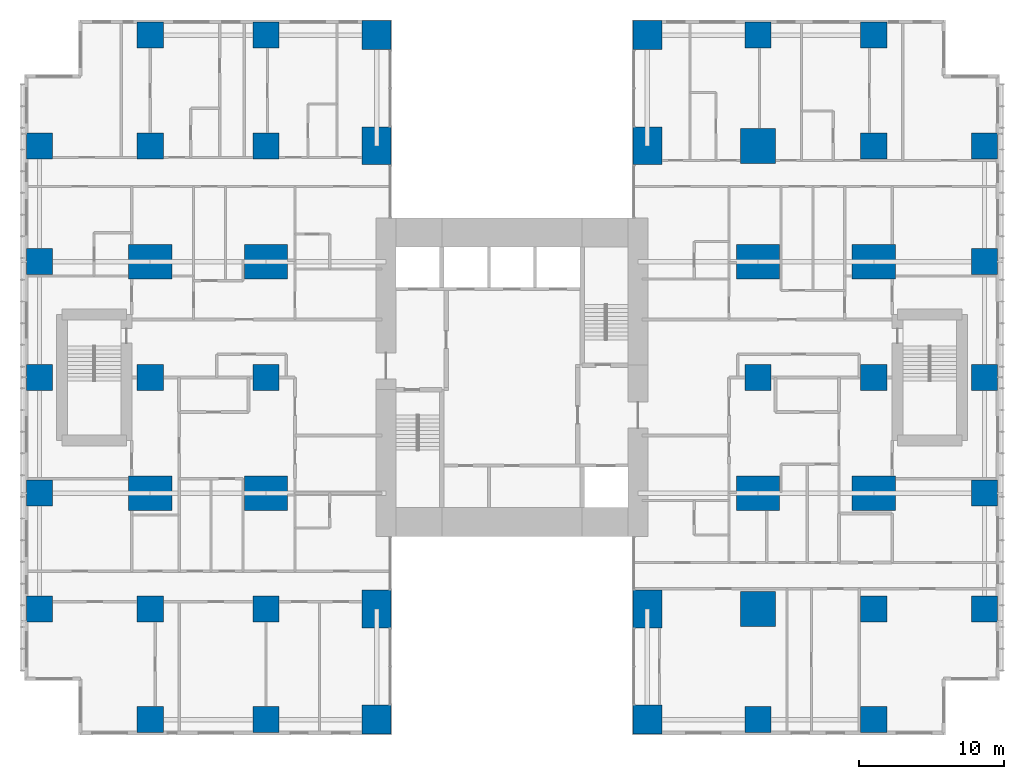
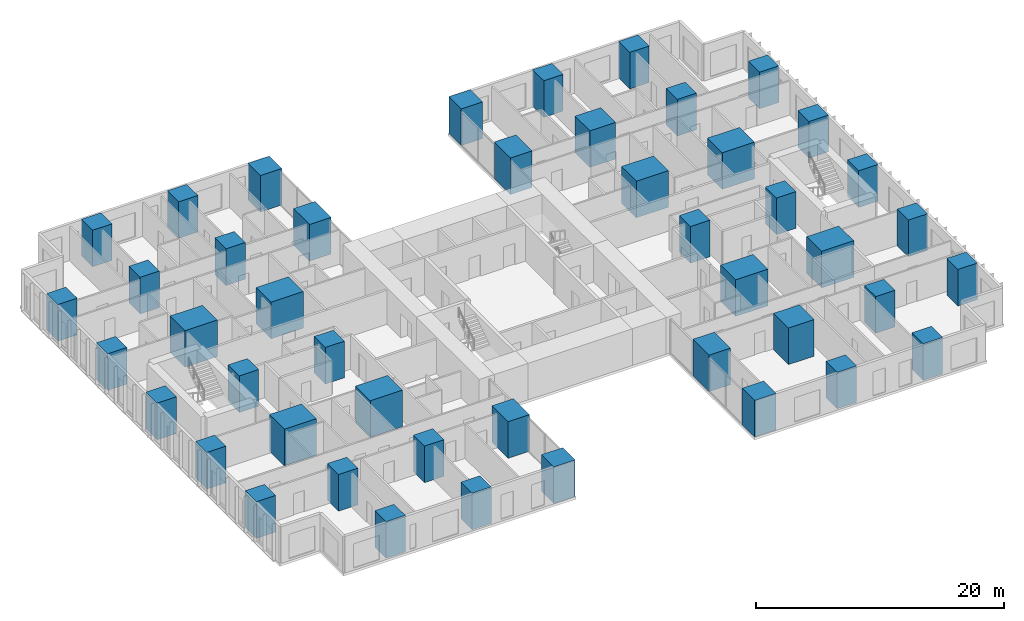
# One storey, part 1 of 20: 46 columns.
"""IFC4 building model written with IfcOpenShell, lengths in metres."""

import ifcopenshell
import ifcopenshell.guid

model = None  # the IFC model being written
_history = None  # IfcOwnerHistory: only IFC2X3 demands one
_inside = {}  # id of a spatial element -> (the spatial element, [elements in it])
_under = {}  # id of a project, library or spatial element -> (it, [spatial elements below it])
_declared = {}  # id of a project -> (the project, [libraries it declares])
_typed = {}  # id of a type object -> (the type object, [elements of that type])
_made_of = {}  # id of a material, layer set ... -> (it, [elements and type objects made of it])


def new_model(schema):
    """Start an empty IFC model of exactly this schema.

    Asked for "IFC4X3", IfcOpenShell would pick the latest addendum, in which some entities
    have other attributes; the version numbers below select the first issue.
    IFC2X3 requires an IfcOwnerHistory on every rooted entity: one is made here for all.
    """
    global model, _history
    if schema == "IFC4X3":
        model = ifcopenshell.file(schema_version=(4, 3, 0, 0))
    else:
        model = ifcopenshell.file(schema=schema)
    _inside.clear()
    _under.clear()
    _declared.clear()
    _typed.clear()
    _made_of.clear()
    _history = None
    if model.schema == "IFC2X3":
        org = make("IfcOrganization", Name="unknown")
        user = make(
            "IfcPersonAndOrganization",
            ThePerson=make("IfcPerson", FamilyName="unknown"),
            TheOrganization=org,
        )
        app = make(
            "IfcApplication",
            ApplicationDeveloper=org,
            Version="unknown",
            ApplicationFullName="unknown",
            ApplicationIdentifier="unknown",
        )
        _history = make(
            "IfcOwnerHistory",
            OwningUser=user,
            OwningApplication=app,
            ChangeAction="ADDED",
            CreationDate=0,
        )
    return model


def make(cls, **values):
    """One entity of the class cls with the attributes given. An attribute that is None is left unset."""
    return model.create_entity(
        cls, **{name: value for name, value in values.items() if value is not None}
    )


def rooted(cls, **values):
    """An entity with a GlobalId (a new one), such as an element, a storey or a relation."""
    return make(cls, GlobalId=ifcopenshell.guid.new(), OwnerHistory=_history, **values)


def si_unit(unit_type, name, prefix=None):
    """IfcSIUnit, for example si_unit("LENGTHUNIT", "METRE", prefix="MILLI")."""
    return make("IfcSIUnit", UnitType=unit_type, Prefix=prefix, Name=name)


def assignment(units):
    """IfcUnitAssignment: the units of a project."""
    return None if units is None else make("IfcUnitAssignment", Units=units)


def point(xyz):
    """IfcCartesianPoint."""
    return None if xyz is None else make("IfcCartesianPoint", Coordinates=xyz)


def direction(xyz):
    """IfcDirection."""
    return None if xyz is None else make("IfcDirection", DirectionRatios=xyz)


def frame(location, z_axis=None, x_axis=None):
    """IfcAxis2Placement3D, a coordinate frame: its origin and axes. An axis left out is left unset."""
    return make(
        "IfcAxis2Placement3D",
        Location=point(location),
        Axis=direction(z_axis),
        RefDirection=direction(x_axis),
    )


def frame_2d(location, x_axis=None):
    """IfcAxis2Placement2D, a coordinate frame in the plane: its origin and x axis."""
    return make(
        "IfcAxis2Placement2D", Location=point(location), RefDirection=direction(x_axis)
    )


def origin():
    """The frame at (0, 0, 0) with its axes left unset."""
    return frame((0.0, 0.0, 0.0))


def origin_2d():
    """The frame at (0, 0) in the plane with its x axis left unset."""
    return frame_2d((0.0, 0.0))


def place(relative_to, where):
    """IfcLocalPlacement: puts the frame where relative to a parent placement (None: the world)."""
    return make(
        "IfcLocalPlacement", PlacementRelTo=relative_to, RelativePlacement=where
    )


def context(
    kind, dimensions, precision=None, world=None, true_north=None, identifier=None
):
    """IfcGeometricRepresentationContext, for example the 3D "Model" context."""
    return make(
        "IfcGeometricRepresentationContext",
        ContextIdentifier=identifier,
        ContextType=kind,
        CoordinateSpaceDimension=dimensions,
        Precision=precision,
        WorldCoordinateSystem=world,
        TrueNorth=true_north,
    )


def subcontext(parent, identifier, kind, view, scale=None):
    """IfcGeometricRepresentationSubContext, for example "Body" below "Model"."""
    return make(
        "IfcGeometricRepresentationSubContext",
        ContextIdentifier=identifier,
        ContextType=kind,
        ParentContext=parent,
        TargetScale=scale,
        TargetView=view,
    )


def project(units=None, contexts=None):
    """IfcProject with its units and contexts."""
    return rooted(
        "IfcProject",
        Name="project",
        RepresentationContexts=contexts,
        UnitsInContext=assignment(units),
    )


def spatial(cls, under=None, at=None, **own):
    """A site, building, storey or space (cls), placed at a placement, below another one or the project."""
    s = rooted(cls, ObjectPlacement=at, **own)
    if under is not None:
        _under.setdefault(under.id(), (under, []))[1].append(s)
    return s


def profile(cls, at=None, kind="AREA", **sizes):
    """A parametric profile (cls). Its sizes go by their IFC names, for example OverallWidth=200.0."""
    return make(cls, ProfileType=kind, Position=at, **sizes)


def rectangle(**sizes):
    """IfcRectangleProfileDef."""
    return profile("IfcRectangleProfileDef", **sizes)


def extrude(swept, where, along, depth):
    """IfcExtrudedAreaSolid: the profile swept, set in the frame where, extruded along a direction by depth."""
    return make(
        "IfcExtrudedAreaSolid",
        SweptArea=swept,
        Position=where,
        ExtrudedDirection=direction(along),
        Depth=depth,
    )


def shape(context_of_items, identifier, shape_type, items):
    """IfcShapeRepresentation: the items that make up one representation, for example the "Body"."""
    return make(
        "IfcShapeRepresentation",
        ContextOfItems=context_of_items,
        RepresentationIdentifier=identifier,
        RepresentationType=shape_type,
        Items=items,
    )


def material(Name=None, Category=None):
    """IfcMaterial."""
    return make("IfcMaterial", Name=Name, Category=Category)


def material_profile(
    of_material, cross_section, Name=None, Category=None, Priority=None
):
    """IfcMaterialProfile: a cross section and its material."""
    return make(
        "IfcMaterialProfile",
        Name=Name,
        Material=of_material,
        Profile=cross_section,
        Priority=Priority,
        Category=Category,
    )


def profile_set(profiles, Name=None, composite=None):
    """IfcMaterialProfileSet."""
    return make(
        "IfcMaterialProfileSet",
        Name=Name,
        MaterialProfiles=profiles,
        CompositeProfile=composite,
    )


def made_of(thing, what):
    """Note that an element or type object is made of a material, layer set ...; save() writes the relation."""
    if what is not None:
        _made_of.setdefault(what.id(), (what, []))[1].append(thing)
    return thing


def type_object(cls, material=None, **own):
    """A type object (cls), such as IfcWallType, which elements share."""
    return made_of(rooted(cls, **own), material)


def element(
    cls,
    number,
    at=None,
    inside=None,
    cuts=None,
    type_object=None,
    material=None,
    context=None,
    identifier="Body",
    shape_type=None,
    held_by="IfcProductDefinitionShape",
    body=None,
    shapes=None,
    **own,
):
    """One element of the class cls, such as IfcWall. Its Tag is "e" and its number.

    at: its placement. inside: the storey or other place that contains it. cuts: it is an
    opening in that element (IfcRelVoidsElement). A single representation is given by context,
    identifier, shape_type and body (its items); several are given by shapes. held_by: the class
    of the entity that holds the representations. save() writes the other relations.
    """
    e = rooted(cls, Tag="e%d" % number, ObjectPlacement=at, **own)
    if body is not None:
        shapes = [shape(context, identifier, shape_type, body)]
    if shapes is not None:
        e.Representation = make(held_by, Representations=shapes)
    if inside is not None:
        _inside.setdefault(inside.id(), (inside, []))[1].append(e)
    if cuts is not None:
        rooted(
            "IfcRelVoidsElement", RelatingBuildingElement=cuts, RelatedOpeningElement=e
        )
    if type_object is not None:
        _typed.setdefault(type_object.id(), (type_object, []))[1].append(e)
    return made_of(e, material)


def aggregate(whole, parts):
    """IfcRelAggregates: a whole, such as a stair, and the parts it consists of."""
    return rooted("IfcRelAggregates", RelatingObject=whole, RelatedObjects=parts)


def save(model, path):
    """Write the relations noted so far, then the file.

    IfcRelAggregates (storeys below a building ...), IfcRelContainedInSpatialStructure (elements
    in a storey), IfcRelDefinesByType, IfcRelAssociatesMaterial and IfcRelDeclares: one each for
    every whole, place, type object, material and project.
    """
    for whole, parts in _under.values():
        aggregate(whole, parts)
    for where, things in _inside.values():
        rooted(
            "IfcRelContainedInSpatialStructure",
            RelatedElements=things,
            RelatingStructure=where,
        )
    for kind, things in _typed.values():
        rooted("IfcRelDefinesByType", RelatedObjects=things, RelatingType=kind)
    for what, things in _made_of.values():
        rooted("IfcRelAssociatesMaterial", RelatedObjects=things, RelatingMaterial=what)
    for by, libraries in _declared.values():
        rooted("IfcRelDeclares", RelatingContext=by, RelatedDefinitions=libraries)
    model.write(path)


model = new_model("IFC4")

# Units and contexts
model_context = context("Model", 3, precision=1e-05, world=origin(), true_north=direction((0.0, 1.0)))
body_context = subcontext(model_context, "Body", "Model", "MODEL_VIEW")
ifc_project = project(units=[si_unit("LENGTHUNIT", "METRE"), si_unit("AREAUNIT", "SQUARE_METRE"), si_unit("VOLUMEUNIT", "CUBIC_METRE"), si_unit("PLANEANGLEUNIT", "RADIAN"), si_unit("MASSUNIT", "GRAM", prefix="KILO")], contexts=[model_context])

# Site, building, storey
site_placement = place(None, origin())
site = spatial("IfcSite", under=ifc_project, at=site_placement, CompositionType="ELEMENT")
building_placement = place(site_placement, origin())
building = spatial("IfcBuilding", under=site, at=building_placement, Name="Cleftline Residences", CompositionType="ELEMENT")
storey_placement = place(building_placement, frame((0.0, 0.0, 207.39990234375)))
storey = spatial("IfcBuildingStorey", under=building, at=storey_placement, Name="L54", CompositionType="ELEMENT", Elevation=207.39990234375)

# Columns
ifc_material_1 = material(Name="Concrete B70", Category="concrete")
ifc_material_profile_1 = material_profile(ifc_material_1, rectangle(XDim=1.800048828125, YDim=1.800048828125, at=origin_2d()))
ifc_profile_set_1 = profile_set([ifc_material_profile_1], Name="Concrete B70")
column_type_1 = type_object("IfcColumnType", Name="COLUMN RC1800X1800", PredefinedType="COLUMN", material=ifc_profile_set_1)
for number, where, z_axis, x_axis, name in (
    (1, (0.35009765625, 8.0, 0.0), (0.0, 0.0, 1.0), (1.0, 0.0, 0.0), "Column D/3"),
    (2, (0.35009765625, 16.0, 0.0), (0.0, 0.0, 1.0), (1.0, 0.0, 0.0), "Column E/3"),
    (3, (0.35009765625, 24.0, 0.0), (0.0, 0.0, 1.0), (1.0, 0.0, 0.0), "Column F/3"),
    (4, (0.35009765625, 32.0, 0.0), (0.0, 0.0, 1.0), (1.0, 0.0, 0.0), "Column G/3"),
    (5, (0.35009765625, 40.0, 0.0), (0.0, 0.0, 1.0), (1.0, 0.0, 0.0), "Column H/3"),
    (6, (8.0, 0.35009765625, 0.0), (0.0, 0.0, 1.0), (1.0, 0.0, 0.0), "Column C/4"),
    (7, (8.0, 8.0, 0.0), (0.0, 0.0, 1.0), (1.0, 0.0, 0.0), "Column D/4"),
    (8, (8.0, 24.0, 0.0), (0.0, 0.0, 1.0), (1.0, 0.0, 0.0), "Column F/4"),
    (9, (8.0, 40.0, 0.0), (0.0, 0.0, 1.0), (1.0, 0.0, 0.0), "Column H/4"),
    (10, (8.0, 47.64990234375, 0.0), (0.0, 0.0, 1.0), (1.0, 0.0, 0.0), "Column J/4"),
    (11, (16.0, 0.35009765625, 0.0), (0.0, 0.0, 1.0), (1.0, 0.0, 0.0), "Column C/5"),
    (12, (16.0, 8.0, 0.0), (0.0, 0.0, 1.0), (1.0, 0.0, 0.0), "Column D/5"),
    (13, (16.0, 24.0, 0.0), (0.0, 0.0, 1.0), (1.0, 0.0, 0.0), "Column F/5"),
    (14, (16.0, 40.0, 0.0), (0.0, 0.0, 1.0), (1.0, 0.0, 0.0), "Column H/5"),
    (15, (16.0, 47.64990234375, 0.0), (0.0, 0.0, 1.0), (1.0, 0.0, 0.0), "Column J/5"),
    (16, (50.0, 0.35009765625, 0.0), (0.0, 0.0, 1.0), (1.0, 0.0, 0.0), "Column C/9"),
    (17, (50.0, 24.0, 0.0), (0.0, 0.0, 1.0), (1.0, 0.0, 0.0), "Column F/9"),
    (18, (50.0, 47.64990234375, 0.0), (0.0, 0.0, 1.0), (1.0, 0.0, 0.0), "Column J/9"),
    (19, (58.0, 0.35009765625, 0.0), (0.0, 0.0, 1.0), (1.0, 0.0, 0.0), "Column C/10"),
    (20, (58.0, 8.0, 0.0), (0.0, 0.0, 1.0), (1.0, 0.0, 0.0), "Column D/10"),
    (21, (58.0, 24.0, 0.0), (0.0, 0.0, 1.0), (1.0, 0.0, 0.0), "Column F/10"),
    (22, (58.0, 40.0, 0.0), (0.0, 0.0, 1.0), (1.0, 0.0, 0.0), "Column H/10"),
    (23, (58.0, 47.64990234375, 0.0), (0.0, 0.0, 1.0), (1.0, 0.0, 0.0), "Column J/10"),
    (24, (65.64990234375, 8.0, 0.0), (0.0, 0.0, 1.0), (1.0, 0.0, 0.0), "Column D/11"),
    (25, (65.64990234375, 16.0, 0.0), (0.0, 0.0, 1.0), (1.0, 0.0, 0.0), "Column E/11"),
    (26, (65.64990234375, 24.0, 0.0), (0.0, 0.0, 1.0), (1.0, 0.0, 0.0), "Column F/11"),
    (27, (65.64990234375, 32.0, 0.0), (0.0, 0.0, 1.0), (1.0, 0.0, 0.0), "Column G/11"),
    (28, (65.64990234375, 40.0, 0.0), (0.0, 0.0, 1.0), (1.0, 0.0, 0.0), "Column H/11"),
):
    element("IfcColumn", number, at=place(storey_placement, frame(where, z_axis=z_axis, x_axis=x_axis)), inside=storey, type_object=column_type_1, Name=name, PredefinedType="COLUMN", context=body_context, shape_type="SweptSolid", body=[
        extrude(rectangle(XDim=1.800048828125, YDim=1.800048828125, at=origin_2d()), origin(), (0.0, 0.0, 1.0), 3.60009765625),
    ])
ifc_material_2 = material(Name="Concrete B70", Category="concrete")
ifc_material_profile_2 = material_profile(ifc_material_2, rectangle(XDim=2.0, YDim=2.0, at=origin_2d()))
ifc_profile_set_2 = profile_set([ifc_material_profile_2], Name="Concrete B70")
column_type_2 = type_object("IfcColumnType", Name="COLUMN RC2000X2000", PredefinedType="COLUMN", material=ifc_profile_set_2)
for number, where, z_axis, x_axis, name in (
    (29, (23.64990234375, 0.35009765625, 0.0), (0.0, 0.0, 1.0), (1.0, 0.0, 0.0), "Column C/6"),
    (30, (23.64990234375, 47.64990234375, 0.0), (0.0, 0.0, 1.0), (1.0, 0.0, 0.0), "Column J/6"),
    (31, (42.35009765625, 0.35009765625, 0.0), (0.0, 0.0, 1.0), (1.0, 0.0, 0.0), "Column C/8"),
    (32, (42.35009765625, 47.64990234375, 0.0), (0.0, 0.0, 1.0), (1.0, 0.0, 0.0), "Column J/8"),
):
    element("IfcColumn", number, at=place(storey_placement, frame(where, z_axis=z_axis, x_axis=x_axis)), inside=storey, type_object=column_type_2, Name=name, PredefinedType="COLUMN", context=body_context, shape_type="SweptSolid", body=[
        extrude(rectangle(XDim=2.0, YDim=2.0, at=origin_2d()), origin(), (0.0, 0.0, 1.0), 3.60009765625),
    ])
ifc_material_3 = material(Name="Concrete B70", Category="concrete")
ifc_material_profile_3 = material_profile(ifc_material_3, rectangle(XDim=2.0, YDim=2.60009765625, at=origin_2d()))
ifc_profile_set_3 = profile_set([ifc_material_profile_3], Name="Concrete B70")
column_type_3 = type_object("IfcColumnType", Name="COLUMN RC2000X2600", PredefinedType="COLUMN", material=ifc_profile_set_3)
for number, where, z_axis, x_axis, name in (
    (33, (23.64990234375, 8.0, 0.0), (0.0, 0.0, 1.0), (1.0, 0.0, 0.0), "Column D/6"),
    (34, (23.64990234375, 40.0, 0.0), (0.0, 0.0, 1.0), (1.0, 0.0, 0.0), "Column H/6"),
    (35, (42.35009765625, 8.0, 0.0), (0.0, 0.0, 1.0), (1.0, 0.0, 0.0), "Column D/8"),
    (36, (42.35009765625, 40.0, 0.0), (0.0, 0.0, 1.0), (1.0, 0.0, 0.0), "Column H/8"),
):
    element("IfcColumn", number, at=place(storey_placement, frame(where, z_axis=z_axis, x_axis=x_axis)), inside=storey, type_object=column_type_3, Name=name, PredefinedType="COLUMN", context=body_context, shape_type="SweptSolid", body=[
        extrude(rectangle(XDim=2.0, YDim=2.60009765625, at=origin_2d()), origin(), (0.0, 0.0, 1.0), 3.60009765625),
    ])
ifc_material_4 = material(Name="Concrete B70", Category="concrete")
ifc_material_profile_4 = material_profile(ifc_material_4, rectangle(XDim=2.39990234375, YDim=2.39990234375, at=origin_2d()))
ifc_profile_set_4 = profile_set([ifc_material_profile_4], Name="Concrete B70")
column_type_4 = type_object("IfcColumnType", Name="COLUMN RC2400X2400", PredefinedType="COLUMN", material=ifc_profile_set_4)
for number, where, z_axis, x_axis, name in (
    (37, (50.0, 8.0, 0.0), (0.0, 0.0, 1.0), (1.0, 0.0, 0.0), "Column D/9"),
    (38, (50.0, 40.0, 0.0), (0.0, 0.0, 1.0), (1.0, 0.0, 0.0), "Column H/9"),
):
    element("IfcColumn", number, at=place(storey_placement, frame(where, z_axis=z_axis, x_axis=x_axis)), inside=storey, type_object=column_type_4, Name=name, PredefinedType="COLUMN", context=body_context, shape_type="SweptSolid", body=[
        extrude(rectangle(XDim=2.39990234375, YDim=2.39990234375, at=origin_2d()), origin(), (0.0, 0.0, 1.0), 3.60009765625),
    ])
ifc_material_5 = material(Name="Concrete B70", Category="concrete")
ifc_material_profile_5 = material_profile(ifc_material_5, rectangle(XDim=3.0, YDim=2.39990234375, at=origin_2d()))
ifc_profile_set_5 = profile_set([ifc_material_profile_5], Name="Concrete B70")
column_type_5 = type_object("IfcColumnType", Name="COLUMN RC3000X2400", PredefinedType="COLUMN", material=ifc_profile_set_5)
for number, where, z_axis, x_axis, name in (
    (39, (8.0, 16.0, 0.0), (0.0, 0.0, 1.0), (1.0, 0.0, 0.0), "Column E/4"),
    (40, (8.0, 32.0, 0.0), (0.0, 0.0, 1.0), (1.0, 0.0, 0.0), "Column G/4"),
    (41, (16.0, 16.0, 0.0), (0.0, 0.0, 1.0), (1.0, 0.0, 0.0), "Column E/5"),
    (42, (16.0, 32.0, 0.0), (0.0, 0.0, 1.0), (1.0, 0.0, 0.0), "Column G/5"),
    (43, (50.0, 16.0, 0.0), (0.0, 0.0, 1.0), (1.0, 0.0, 0.0), "Column E/9"),
    (44, (50.0, 32.0, 0.0), (0.0, 0.0, 1.0), (1.0, 0.0, 0.0), "Column G/9"),
    (45, (58.0, 16.0, 0.0), (0.0, 0.0, 1.0), (1.0, 0.0, 0.0), "Column E/10"),
    (46, (58.0, 32.0, 0.0), (0.0, 0.0, 1.0), (1.0, 0.0, 0.0), "Column G/10"),
):
    element("IfcColumn", number, at=place(storey_placement, frame(where, z_axis=z_axis, x_axis=x_axis)), inside=storey, type_object=column_type_5, Name=name, PredefinedType="COLUMN", context=body_context, shape_type="SweptSolid", body=[
        extrude(rectangle(XDim=3.0, YDim=2.39990234375, at=origin_2d()), origin(), (0.0, 0.0, 1.0), 3.60009765625),
    ])

save(model, "model.ifc")
